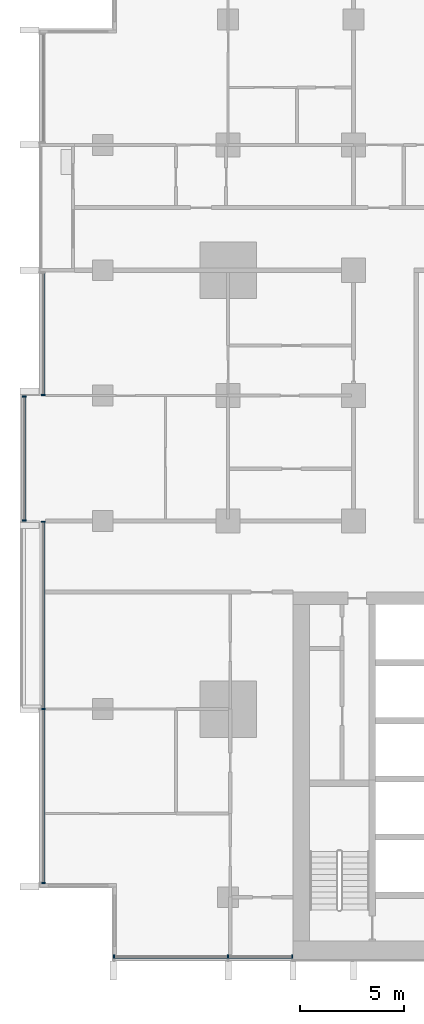
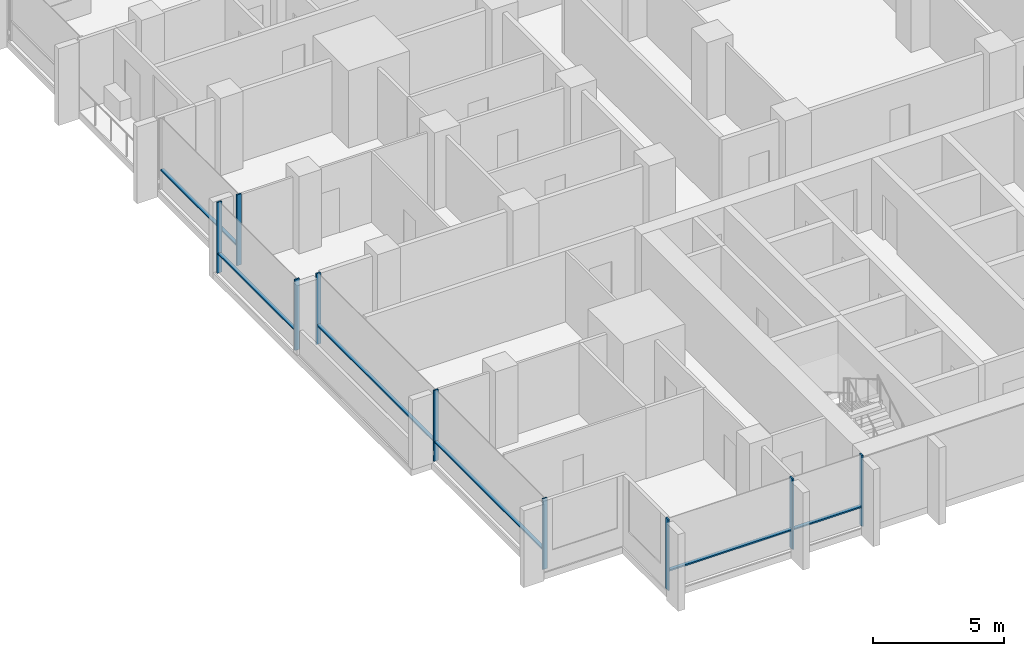
# One storey, part 2 of 18: 15 members, 4 elements without a shape of their own.
"""IFC4 building model written with IfcOpenShell, lengths in metres."""

from ifc_helpers import new_model, si_unit, direction, frame, origin, origin_2d, place, context, subcontext, project, spatial, rectangle, extrude, material, material_profile, profile_set, type_object, element, aggregate, save


model = new_model("IFC4")

# Units and contexts
model_context = context("Model", 3, precision=1e-05, world=origin(), true_north=direction((0.0, 1.0)))
body_context = subcontext(model_context, "Body", "Model", "MODEL_VIEW")
ifc_project = project(units=[si_unit("LENGTHUNIT", "METRE"), si_unit("AREAUNIT", "SQUARE_METRE"), si_unit("VOLUMEUNIT", "CUBIC_METRE"), si_unit("PLANEANGLEUNIT", "RADIAN"), si_unit("MASSUNIT", "GRAM", prefix="KILO")], contexts=[model_context])

# Site, building, storey
site_placement = place(None, origin())
site = spatial("IfcSite", under=ifc_project, at=site_placement, CompositionType="ELEMENT")
building_placement = place(site_placement, origin())
building = spatial("IfcBuilding", under=site, at=building_placement, Name="Finial Court Residences", CompositionType="ELEMENT")
storey_placement = place(building_placement, frame((0.0, 0.0, 84.699951171875)))
storey = spatial("IfcBuildingStorey", under=building, at=storey_placement, Name="L20", CompositionType="ELEMENT", Elevation=84.699951171875)

# Curtain wall, members
ifc_material = material(Name="Bronze anodised aluminium", Category="aluminium")
curtain_wall_type = type_object("IfcCurtainWallType", Name="Unitised curtain wall, lower and middle zones", PredefinedType="NOTDEFINED", material=ifc_material)
curtain_wall_1_placement = place(storey_placement, origin())
curtain_wall_1 = element("IfcCurtainWall", 1, at=curtain_wall_1_placement, inside=storey, type_object=curtain_wall_type, Name="E-L20-CW-S9", PredefinedType="NOTDEFINED")
ifc_material_profile_1 = material_profile(ifc_material, rectangle(XDim=0.199951171875, YDim=0.06494140625, at=origin_2d()), Name="CW1 mullion 65 x 200")
ifc_profile_set_1 = profile_set([ifc_material_profile_1], Name="Bronze anodised aluminium")
member_type_1 = type_object("IfcMemberType", Name="CW1 mullion 65 x 200", PredefinedType="MULLION", material=ifc_profile_set_1)
member_1_placement = place(storey_placement, frame((-21.967529296875, -25.35009765625, 0.0), z_axis=(0.0, 0.0, 1.0), x_axis=(0.0, 1.0, 0.0)))
member_1 = element("IfcMember", 2, at=member_1_placement, type_object=member_type_1, Name="CW1 mullion 1", PredefinedType="MULLION", context=body_context, shape_type="SweptSolid", body=[
    extrude(rectangle(XDim=0.199951171875, YDim=0.06494140625, at=origin_2d()), origin(), (0.0, 0.0, 1.0), 3.300048828125),
])
member_2_placement = place(storey_placement, frame((-16.5, -25.35009765625, 0.0), z_axis=(0.0, 0.0, 1.0), x_axis=(0.0, 1.0, 0.0)))
member_2 = element("IfcMember", 3, at=member_2_placement, type_object=member_type_1, Name="CW1 mullion 2", PredefinedType="MULLION", context=body_context, shape_type="SweptSolid", body=[
    extrude(rectangle(XDim=0.199951171875, YDim=0.06494140625, at=origin_2d()), origin(), (0.0, 0.0, 1.0), 3.300048828125),
])
member_3_placement = place(storey_placement, frame((-13.4326171875, -25.35009765625, 0.0), z_axis=(0.0, 0.0, 1.0), x_axis=(0.0, 1.0, 0.0)))
member_3 = element("IfcMember", 4, at=member_3_placement, type_object=member_type_1, Name="CW1 mullion 3", PredefinedType="MULLION", context=body_context, shape_type="SweptSolid", body=[
    extrude(rectangle(XDim=0.199951171875, YDim=0.06494140625, at=origin_2d()), origin(), (0.0, 0.0, 1.0), 3.300048828125),
])

curtain_wall_2_placement = place(storey_placement, origin())
curtain_wall_2 = element("IfcCurtainWall", 5, at=curtain_wall_2_placement, inside=storey, type_object=curtain_wall_type, Name="E-L20-CW-W11", PredefinedType="NOTDEFINED")
member_4_placement = place(storey_placement, frame((-25.35009765625, -21.8173828125, 0.0), z_axis=(0.0, 0.0, 1.0), x_axis=(-1.0, 0.0, 0.0)))
member_4 = element("IfcMember", 6, at=member_4_placement, type_object=member_type_1, Name="CW1 mullion 1", PredefinedType="MULLION", context=body_context, shape_type="SweptSolid", body=[
    extrude(rectangle(XDim=0.199951171875, YDim=0.06494140625, at=origin_2d()), origin(), (0.0, 0.0, 1.0), 3.300048828125),
])
member_5_placement = place(storey_placement, frame((-25.35009765625, -13.5, 0.0), z_axis=(0.0, 0.0, 1.0), x_axis=(-1.0, 0.0, 0.0)))
member_5 = element("IfcMember", 7, at=member_5_placement, type_object=member_type_1, Name="CW1 mullion 2", PredefinedType="MULLION", context=body_context, shape_type="SweptSolid", body=[
    extrude(rectangle(XDim=0.199951171875, YDim=0.06494140625, at=origin_2d()), origin(), (0.0, 0.0, 1.0), 3.300048828125),
])
member_6_placement = place(storey_placement, frame((-25.35009765625, -4.532470703125, 0.0), z_axis=(0.0, 0.0, 1.0), x_axis=(-1.0, 0.0, 0.0)))
member_6 = element("IfcMember", 8, at=member_6_placement, type_object=member_type_1, Name="CW1 mullion 3", PredefinedType="MULLION", context=body_context, shape_type="SweptSolid", body=[
    extrude(rectangle(XDim=0.199951171875, YDim=0.06494140625, at=origin_2d()), origin(), (0.0, 0.0, 1.0), 3.300048828125),
])

curtain_wall_3_placement = place(storey_placement, origin())
curtain_wall_3 = element("IfcCurtainWall", 9, at=curtain_wall_3_placement, inside=storey, type_object=curtain_wall_type, Name="E-L20-CW-W12", PredefinedType="NOTDEFINED")
member_7_placement = place(storey_placement, frame((-26.25, -4.467529296875, 0.0), z_axis=(0.0, 0.0, 1.0), x_axis=(-1.0, 0.0, 0.0)))
member_7 = element("IfcMember", 10, at=member_7_placement, type_object=member_type_1, Name="CW1 mullion 1", PredefinedType="MULLION", context=body_context, shape_type="SweptSolid", body=[
    extrude(rectangle(XDim=0.199951171875, YDim=0.06494140625, at=origin_2d()), origin(), (0.0, 0.0, 1.0), 3.300048828125),
])
member_8_placement = place(storey_placement, frame((-26.25, 1.467529296875, 0.0), z_axis=(0.0, 0.0, 1.0), x_axis=(-1.0, 0.0, 0.0)))
member_8 = element("IfcMember", 11, at=member_8_placement, type_object=member_type_1, Name="CW1 mullion 2", PredefinedType="MULLION", context=body_context, shape_type="SweptSolid", body=[
    extrude(rectangle(XDim=0.199951171875, YDim=0.06494140625, at=origin_2d()), origin(), (0.0, 0.0, 1.0), 3.300048828125),
])

# Curtain wall, member
curtain_wall_4_placement = place(storey_placement, origin())
curtain_wall_4 = element("IfcCurtainWall", 12, at=curtain_wall_4_placement, inside=storey, type_object=curtain_wall_type, Name="E-L20-CW-W13", PredefinedType="NOTDEFINED")
member_9_placement = place(storey_placement, frame((-25.35009765625, 1.532470703125, 0.0), z_axis=(0.0, 0.0, 1.0), x_axis=(-1.0, 0.0, 0.0)))
member_9 = element("IfcMember", 13, at=member_9_placement, type_object=member_type_1, Name="CW1 mullion 1", PredefinedType="MULLION", context=body_context, shape_type="SweptSolid", body=[
    extrude(rectangle(XDim=0.199951171875, YDim=0.06494140625, at=origin_2d()), origin(), (0.0, 0.0, 1.0), 3.300048828125),
])

# Member
ifc_material_profile_2 = material_profile(ifc_material, rectangle(XDim=0.14990234375, YDim=0.06494140625, at=origin_2d()), Name="CW1 transom 65 x 150")
ifc_profile_set_2 = profile_set([ifc_material_profile_2], Name="Bronze anodised aluminium")
member_type_2 = type_object("IfcMemberType", Name="CW1 transom 65 x 150", PredefinedType="USERDEFINED", material=ifc_profile_set_2)
member_10_placement = place(storey_placement, frame((-21.93505859375, -25.35009765625, 0.900146484375), z_axis=(1.0, 0.0, 0.0), x_axis=(0.0, 1.0, 0.0)))
member_10 = element("IfcMember", 14, at=member_10_placement, type_object=member_type_2, Name="CW1 transom 1.1", ObjectType="TRANSOM", PredefinedType="USERDEFINED", context=body_context, shape_type="SweptSolid", body=[
    extrude(rectangle(XDim=0.14990234375, YDim=0.06494140625, at=origin_2d()), origin(), (0.0, 0.0, 1.0), 5.402587890625),
])

member_11_placement = place(storey_placement, frame((-16.467529296875, -25.35009765625, 0.900146484375), z_axis=(1.0, 0.0, 0.0), x_axis=(0.0, 1.0, 0.0)))
member_11 = element("IfcMember", 15, at=member_11_placement, type_object=member_type_2, Name="CW1 transom 2.1", ObjectType="TRANSOM", PredefinedType="USERDEFINED", context=body_context, shape_type="SweptSolid", body=[
    extrude(rectangle(XDim=0.14990234375, YDim=0.06494140625, at=origin_2d()), origin(), (0.0, 0.0, 1.0), 3.00244140625),
])

aggregate(curtain_wall_1, [member_1, member_2, member_3, member_10, member_11])

member_12_placement = place(storey_placement, frame((-25.35009765625, -21.784912109375, 0.900146484375), z_axis=(0.0, 1.0, 0.0), x_axis=(-1.0, 0.0, 0.0)))
member_12 = element("IfcMember", 16, at=member_12_placement, type_object=member_type_2, Name="CW1 transom 1.1", ObjectType="TRANSOM", PredefinedType="USERDEFINED", context=body_context, shape_type="SweptSolid", body=[
    extrude(rectangle(XDim=0.14990234375, YDim=0.06494140625, at=origin_2d()), origin(), (0.0, 0.0, 1.0), 8.25244140625),
])

member_13_placement = place(storey_placement, frame((-25.35009765625, -13.467529296875, 0.900146484375), z_axis=(0.0, 1.0, 0.0), x_axis=(-1.0, 0.0, 0.0)))
member_13 = element("IfcMember", 17, at=member_13_placement, type_object=member_type_2, Name="CW1 transom 2.1", ObjectType="TRANSOM", PredefinedType="USERDEFINED", context=body_context, shape_type="SweptSolid", body=[
    extrude(rectangle(XDim=0.14990234375, YDim=0.06494140625, at=origin_2d()), origin(), (0.0, 0.0, 1.0), 8.902587890625),
])

aggregate(curtain_wall_2, [member_4, member_5, member_6, member_12, member_13])

member_14_placement = place(storey_placement, frame((-26.25, -4.43505859375, 0.900146484375), z_axis=(0.0, 1.0, 0.0), x_axis=(-1.0, 0.0, 0.0)))
member_14 = element("IfcMember", 18, at=member_14_placement, type_object=member_type_2, Name="CW1 transom 1.1", ObjectType="TRANSOM", PredefinedType="USERDEFINED", context=body_context, shape_type="SweptSolid", body=[
    extrude(rectangle(XDim=0.14990234375, YDim=0.06494140625, at=origin_2d()), origin(), (0.0, 0.0, 1.0), 5.8701171875),
])

aggregate(curtain_wall_3, [member_7, member_8, member_14])

member_15_placement = place(storey_placement, frame((-25.35009765625, 1.56494140625, 0.900146484375), z_axis=(0.0, 1.0, 0.0), x_axis=(-1.0, 0.0, 0.0)))
member_15 = element("IfcMember", 19, at=member_15_placement, type_object=member_type_2, Name="CW1 transom 1.1", ObjectType="TRANSOM", PredefinedType="USERDEFINED", context=body_context, shape_type="SweptSolid", body=[
    extrude(rectangle(XDim=0.14990234375, YDim=0.06494140625, at=origin_2d()), origin(), (0.0, 0.0, 1.0), 5.795166015625),
])

aggregate(curtain_wall_4, [member_9, member_15])

save(model, "model.ifc")
